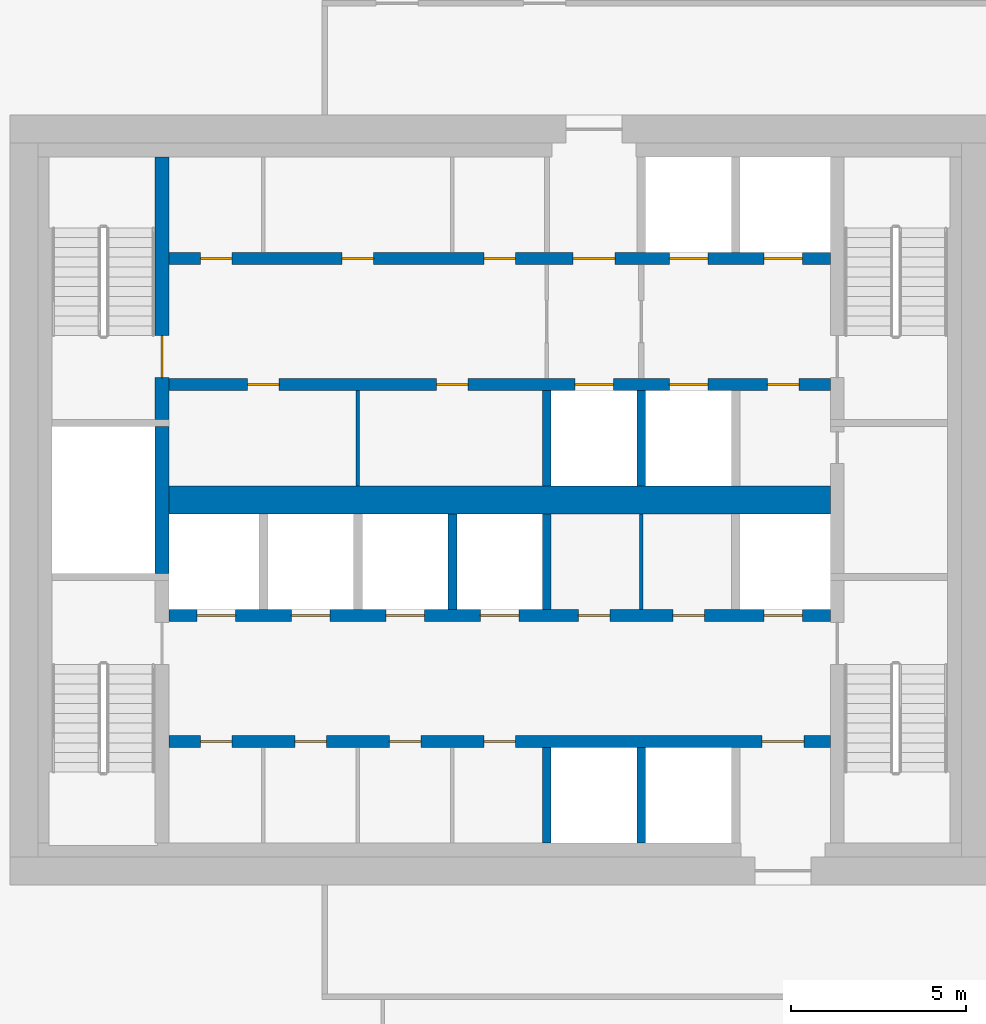
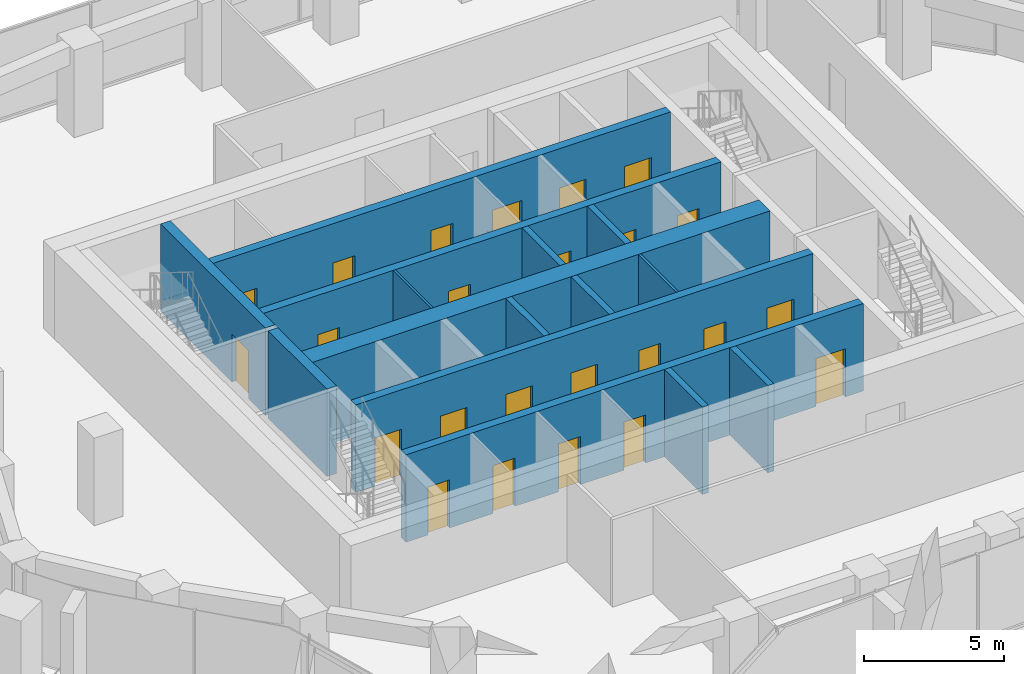
# One storey, part 12 of 19: 24 doors, 15 walls, 24 openings.
"""IFC4 building model written with IfcOpenShell, lengths in metres."""

import ifcopenshell
import ifcopenshell.guid

model = None  # the IFC model being written
_history = None  # IfcOwnerHistory: only IFC2X3 demands one
_inside = {}  # id of a spatial element -> (the spatial element, [elements in it])
_under = {}  # id of a project, library or spatial element -> (it, [spatial elements below it])
_declared = {}  # id of a project -> (the project, [libraries it declares])
_typed = {}  # id of a type object -> (the type object, [elements of that type])
_made_of = {}  # id of a material, layer set ... -> (it, [elements and type objects made of it])


def new_model(schema):
    """Start an empty IFC model of exactly this schema.

    Asked for "IFC4X3", IfcOpenShell would pick the latest addendum, in which some entities
    have other attributes; the version numbers below select the first issue.
    IFC2X3 requires an IfcOwnerHistory on every rooted entity: one is made here for all.
    """
    global model, _history
    if schema == "IFC4X3":
        model = ifcopenshell.file(schema_version=(4, 3, 0, 0))
    else:
        model = ifcopenshell.file(schema=schema)
    _inside.clear()
    _under.clear()
    _declared.clear()
    _typed.clear()
    _made_of.clear()
    _history = None
    if model.schema == "IFC2X3":
        org = make("IfcOrganization", Name="unknown")
        user = make(
            "IfcPersonAndOrganization",
            ThePerson=make("IfcPerson", FamilyName="unknown"),
            TheOrganization=org,
        )
        app = make(
            "IfcApplication",
            ApplicationDeveloper=org,
            Version="unknown",
            ApplicationFullName="unknown",
            ApplicationIdentifier="unknown",
        )
        _history = make(
            "IfcOwnerHistory",
            OwningUser=user,
            OwningApplication=app,
            ChangeAction="ADDED",
            CreationDate=0,
        )
    return model


def make(cls, **values):
    """One entity of the class cls with the attributes given. An attribute that is None is left unset."""
    return model.create_entity(
        cls, **{name: value for name, value in values.items() if value is not None}
    )


def rooted(cls, **values):
    """An entity with a GlobalId (a new one), such as an element, a storey or a relation."""
    return make(cls, GlobalId=ifcopenshell.guid.new(), OwnerHistory=_history, **values)


def si_unit(unit_type, name, prefix=None):
    """IfcSIUnit, for example si_unit("LENGTHUNIT", "METRE", prefix="MILLI")."""
    return make("IfcSIUnit", UnitType=unit_type, Prefix=prefix, Name=name)


def assignment(units):
    """IfcUnitAssignment: the units of a project."""
    return None if units is None else make("IfcUnitAssignment", Units=units)


def point(xyz):
    """IfcCartesianPoint."""
    return None if xyz is None else make("IfcCartesianPoint", Coordinates=xyz)


def direction(xyz):
    """IfcDirection."""
    return None if xyz is None else make("IfcDirection", DirectionRatios=xyz)


def frame(location, z_axis=None, x_axis=None):
    """IfcAxis2Placement3D, a coordinate frame: its origin and axes. An axis left out is left unset."""
    return make(
        "IfcAxis2Placement3D",
        Location=point(location),
        Axis=direction(z_axis),
        RefDirection=direction(x_axis),
    )


def frame_2d(location, x_axis=None):
    """IfcAxis2Placement2D, a coordinate frame in the plane: its origin and x axis."""
    return make(
        "IfcAxis2Placement2D", Location=point(location), RefDirection=direction(x_axis)
    )


def origin():
    """The frame at (0, 0, 0) with its axes left unset."""
    return frame((0.0, 0.0, 0.0))


def place(relative_to, where):
    """IfcLocalPlacement: puts the frame where relative to a parent placement (None: the world)."""
    return make(
        "IfcLocalPlacement", PlacementRelTo=relative_to, RelativePlacement=where
    )


def context(
    kind, dimensions, precision=None, world=None, true_north=None, identifier=None
):
    """IfcGeometricRepresentationContext, for example the 3D "Model" context."""
    return make(
        "IfcGeometricRepresentationContext",
        ContextIdentifier=identifier,
        ContextType=kind,
        CoordinateSpaceDimension=dimensions,
        Precision=precision,
        WorldCoordinateSystem=world,
        TrueNorth=true_north,
    )


def subcontext(parent, identifier, kind, view, scale=None):
    """IfcGeometricRepresentationSubContext, for example "Body" below "Model"."""
    return make(
        "IfcGeometricRepresentationSubContext",
        ContextIdentifier=identifier,
        ContextType=kind,
        ParentContext=parent,
        TargetScale=scale,
        TargetView=view,
    )


def project(units=None, contexts=None):
    """IfcProject with its units and contexts."""
    return rooted(
        "IfcProject",
        Name="project",
        RepresentationContexts=contexts,
        UnitsInContext=assignment(units),
    )


def spatial(cls, under=None, at=None, **own):
    """A site, building, storey or space (cls), placed at a placement, below another one or the project."""
    s = rooted(cls, ObjectPlacement=at, **own)
    if under is not None:
        _under.setdefault(under.id(), (under, []))[1].append(s)
    return s


def profile(cls, at=None, kind="AREA", **sizes):
    """A parametric profile (cls). Its sizes go by their IFC names, for example OverallWidth=200.0."""
    return make(cls, ProfileType=kind, Position=at, **sizes)


def rectangle(**sizes):
    """IfcRectangleProfileDef."""
    return profile("IfcRectangleProfileDef", **sizes)


def extrude(swept, where, along, depth):
    """IfcExtrudedAreaSolid: the profile swept, set in the frame where, extruded along a direction by depth."""
    return make(
        "IfcExtrudedAreaSolid",
        SweptArea=swept,
        Position=where,
        ExtrudedDirection=direction(along),
        Depth=depth,
    )


def shape(context_of_items, identifier, shape_type, items):
    """IfcShapeRepresentation: the items that make up one representation, for example the "Body"."""
    return make(
        "IfcShapeRepresentation",
        ContextOfItems=context_of_items,
        RepresentationIdentifier=identifier,
        RepresentationType=shape_type,
        Items=items,
    )


def material(Name=None, Category=None):
    """IfcMaterial."""
    return make("IfcMaterial", Name=Name, Category=Category)


def layer(
    of_material, thickness, ventilated=None, Name=None, Category=None, Priority=None
):
    """IfcMaterialLayer: one layer of a wall or slab, of a material (None: an air gap)."""
    return make(
        "IfcMaterialLayer",
        Material=of_material,
        LayerThickness=thickness,
        IsVentilated=ventilated,
        Name=Name,
        Category=Category,
        Priority=Priority,
    )


def layer_set(layers, Name=None):
    """IfcMaterialLayerSet."""
    return make("IfcMaterialLayerSet", MaterialLayers=layers, LayerSetName=Name)


def made_of(thing, what):
    """Note that an element or type object is made of a material, layer set ...; save() writes the relation."""
    if what is not None:
        _made_of.setdefault(what.id(), (what, []))[1].append(thing)
    return thing


def type_object(cls, material=None, **own):
    """A type object (cls), such as IfcWallType, which elements share."""
    return made_of(rooted(cls, **own), material)


def element(
    cls,
    number,
    at=None,
    inside=None,
    cuts=None,
    type_object=None,
    material=None,
    context=None,
    identifier="Body",
    shape_type=None,
    held_by="IfcProductDefinitionShape",
    body=None,
    shapes=None,
    **own,
):
    """One element of the class cls, such as IfcWall. Its Tag is "e" and its number.

    at: its placement. inside: the storey or other place that contains it. cuts: it is an
    opening in that element (IfcRelVoidsElement). A single representation is given by context,
    identifier, shape_type and body (its items); several are given by shapes. held_by: the class
    of the entity that holds the representations. save() writes the other relations.
    """
    e = rooted(cls, Tag="e%d" % number, ObjectPlacement=at, **own)
    if body is not None:
        shapes = [shape(context, identifier, shape_type, body)]
    if shapes is not None:
        e.Representation = make(held_by, Representations=shapes)
    if inside is not None:
        _inside.setdefault(inside.id(), (inside, []))[1].append(e)
    if cuts is not None:
        rooted(
            "IfcRelVoidsElement", RelatingBuildingElement=cuts, RelatedOpeningElement=e
        )
    if type_object is not None:
        _typed.setdefault(type_object.id(), (type_object, []))[1].append(e)
    return made_of(e, material)


def fill(opening, filler):
    """IfcRelFillsElement: the door or window that sits in an opening."""
    return rooted(
        "IfcRelFillsElement",
        RelatingOpeningElement=opening,
        RelatedBuildingElement=filler,
    )


def aggregate(whole, parts):
    """IfcRelAggregates: a whole, such as a stair, and the parts it consists of."""
    return rooted("IfcRelAggregates", RelatingObject=whole, RelatedObjects=parts)


def save(model, path):
    """Write the relations noted so far, then the file.

    IfcRelAggregates (storeys below a building ...), IfcRelContainedInSpatialStructure (elements
    in a storey), IfcRelDefinesByType, IfcRelAssociatesMaterial and IfcRelDeclares: one each for
    every whole, place, type object, material and project.
    """
    for whole, parts in _under.values():
        aggregate(whole, parts)
    for where, things in _inside.values():
        rooted(
            "IfcRelContainedInSpatialStructure",
            RelatedElements=things,
            RelatingStructure=where,
        )
    for kind, things in _typed.values():
        rooted("IfcRelDefinesByType", RelatedObjects=things, RelatingType=kind)
    for what, things in _made_of.values():
        rooted("IfcRelAssociatesMaterial", RelatedObjects=things, RelatingMaterial=what)
    for by, libraries in _declared.values():
        rooted("IfcRelDeclares", RelatingContext=by, RelatedDefinitions=libraries)
    model.write(path)


model = new_model("IFC4")

# Units and contexts
model_context = context("Model", 3, precision=1e-05, world=origin(), true_north=direction((0.0, 1.0)))
body_context = subcontext(model_context, "Body", "Model", "MODEL_VIEW")
ifc_project = project(units=[si_unit("LENGTHUNIT", "METRE"), si_unit("AREAUNIT", "SQUARE_METRE"), si_unit("VOLUMEUNIT", "CUBIC_METRE"), si_unit("PLANEANGLEUNIT", "RADIAN"), si_unit("MASSUNIT", "GRAM", prefix="KILO")], contexts=[model_context])

# Site, building, storey
site_placement = place(None, origin())
site = spatial("IfcSite", under=ifc_project, at=site_placement, CompositionType="ELEMENT")
building_placement = place(site_placement, origin())
building = spatial("IfcBuilding", under=site, at=building_placement, Name="Dongbaek Canopy Tower", CompositionType="ELEMENT")
storey_placement = place(building_placement, frame((0.0, 0.0, 207.199951171875)))
storey = spatial("IfcBuildingStorey", under=building, at=storey_placement, Name="L43", CompositionType="ELEMENT", Elevation=207.199951171875)

# Wall
ifc_material_1 = material(Name="Concrete C60/75", Category="concrete")
ifc_layer_1 = layer(ifc_material_1, 0.800048828125)
ifc_layer_set_1 = layer_set([ifc_layer_1], Name="Core central wall 800 Concrete C60/75")
wall_type_1 = type_object("IfcWallType", Name="Core central wall 800 Concrete C60/75", PredefinedType="SHEAR", material=ifc_layer_set_1)
wall_1_placement = place(storey_placement, frame((-9.449951171875, 0.0, 0.0), z_axis=(0.0, 0.0, 1.0), x_axis=(1.0, 0.0, 0.0)))
element("IfcWall", 1, at=wall_1_placement, inside=storey, type_object=wall_type_1, Name="Core wall", PredefinedType="SHEAR", context=body_context, shape_type="SweptSolid", body=[
    extrude(rectangle(XDim=18.89990234375, YDim=0.800048828125, at=frame_2d((9.449951171875, 0.0))), origin(), (0.0, 0.0, 1.0), 3.820068359375),
])

# Wall, openings, doors
ifc_material_2 = material(Name="Concrete C60/75", Category="concrete")
ifc_layer_2 = layer(ifc_material_2, 0.35009765625)
ifc_layer_set_2 = layer_set([ifc_layer_2], Name="Core lobby wall 350 Concrete C60/75")
wall_type_2 = type_object("IfcWallType", Name="Core lobby wall 350 Concrete C60/75", PredefinedType="SHEAR", material=ifc_layer_set_2)
wall_2_placement = place(storey_placement, frame((-9.449951171875, 6.89990234375, 0.0), z_axis=(0.0, 0.0, 1.0), x_axis=(1.0, 0.0, 0.0)))
wall_2 = element("IfcWall", 2, at=wall_2_placement, inside=storey, type_object=wall_type_2, Name="Core wall", PredefinedType="SHEAR", context=body_context, shape_type="SweptSolid", body=[
    extrude(rectangle(XDim=18.89990234375, YDim=0.35009765625, at=frame_2d((9.449951171875, 0.0))), origin(), (0.0, 0.0, 1.0), 3.820068359375),
])
opening_1_placement = place(wall_2_placement, frame((11.550048828125, 0.0, 0.0)))
opening_1 = element("IfcOpeningElement", 3, at=opening_1_placement, cuts=wall_2, Name="Opening L43-D007", PredefinedType="OPENING", context=body_context, shape_type="SweptSolid", body=[
    extrude(rectangle(XDim=1.199951171875, YDim=2.10009765625, at=frame_2d((0.60009765625, 1.050048828125))), frame((0.0, 0.18505859375, 0.0), z_axis=(0.0, -1.0, 0.0), x_axis=(1.0, 0.0, 0.0)), (0.0, 0.0, 1.0), 0.3701171875),
])
opening_2_placement = place(wall_2_placement, frame((14.300048828125, 0.0, 0.0)))
opening_2 = element("IfcOpeningElement", 4, at=opening_2_placement, cuts=wall_2, Name="Opening L43-D008", PredefinedType="OPENING", context=body_context, shape_type="SweptSolid", body=[
    extrude(rectangle(XDim=1.10009765625, YDim=2.10009765625, at=frame_2d((0.550048828125, 1.050048828125))), frame((0.0, 0.18505859375, 0.0), z_axis=(0.0, -1.0, 0.0), x_axis=(1.0, 0.0, 0.0)), (0.0, 0.0, 1.0), 0.3701171875),
])
opening_3_placement = place(wall_2_placement, frame((17.0, 0.0, 0.0)))
opening_3 = element("IfcOpeningElement", 5, at=opening_3_placement, cuts=wall_2, Name="Opening L43-D009", PredefinedType="OPENING", context=body_context, shape_type="SweptSolid", body=[
    extrude(rectangle(XDim=1.10009765625, YDim=2.10009765625, at=frame_2d((0.550048828125, 1.050048828125))), frame((0.0, 0.18505859375, 0.0), z_axis=(0.0, -1.0, 0.0), x_axis=(1.0, 0.0, 0.0)), (0.0, 0.0, 1.0), 0.3701171875),
])
opening_4_placement = place(wall_2_placement, frame((0.89990234375, 0.0, 0.0)))
opening_4 = element("IfcOpeningElement", 6, at=opening_4_placement, cuts=wall_2, Name="Opening L43-D020", PredefinedType="OPENING", context=body_context, shape_type="SweptSolid", body=[
    extrude(rectangle(XDim=0.89990234375, YDim=2.10009765625, at=frame_2d((0.449951171875, 1.050048828125))), frame((0.0, 0.18505859375, 0.0), z_axis=(0.0, -1.0, 0.0), x_axis=(1.0, 0.0, 0.0)), (0.0, 0.0, 1.0), 0.3701171875),
])
opening_5_placement = place(wall_2_placement, frame((4.949951171875, 0.0, 0.0)))
opening_5 = element("IfcOpeningElement", 7, at=opening_5_placement, cuts=wall_2, Name="Opening L43-D021", PredefinedType="OPENING", context=body_context, shape_type="SweptSolid", body=[
    extrude(rectangle(XDim=0.89990234375, YDim=2.10009765625, at=frame_2d((0.449951171875, 1.050048828125))), frame((0.0, 0.18505859375, 0.0), z_axis=(0.0, -1.0, 0.0), x_axis=(1.0, 0.0, 0.0)), (0.0, 0.0, 1.0), 0.3701171875),
])
opening_6_placement = place(wall_2_placement, frame((9.0, 0.0, 0.0)))
opening_6 = element("IfcOpeningElement", 8, at=opening_6_placement, cuts=wall_2, Name="Opening L43-D022", PredefinedType="OPENING", context=body_context, shape_type="SweptSolid", body=[
    extrude(rectangle(XDim=0.89990234375, YDim=2.10009765625, at=frame_2d((0.449951171875, 1.050048828125))), frame((0.0, 0.18505859375, 0.0), z_axis=(0.0, -1.0, 0.0), x_axis=(1.0, 0.0, 0.0)), (0.0, 0.0, 1.0), 0.3701171875),
])
ifc_material_3 = material(Name="Steel", Category="steel")
door_type_1 = type_object("IfcDoorType", Name="Core room door 900 x 2100", OperationType="SINGLE_SWING_LEFT", PredefinedType="DOOR", material=ifc_material_3)
door_1_placement = place(opening_4_placement, origin())
door_1 = element("IfcDoor", 9, at=door_1_placement, inside=storey, type_object=door_type_1, Name="Door L43-D020", OperationType="SINGLE_SWING_RIGHT", OverallHeight=2.10009765625, OverallWidth=0.89990234375, PredefinedType="DOOR", context=body_context, shape_type="SweptSolid", body=[
    extrude(rectangle(XDim=0.89990234375, YDim=2.10009765625, at=frame_2d((0.449951171875, 1.050048828125))), frame((0.0, 0.02490234375, 0.0), z_axis=(0.0, -1.0, 0.0), x_axis=(1.0, 0.0, 0.0)), (0.0, 0.0, 1.0), 0.050048828125),
])
fill(opening_4, door_1)
door_2_placement = place(opening_5_placement, origin())
door_2 = element("IfcDoor", 10, at=door_2_placement, inside=storey, type_object=door_type_1, Name="Door L43-D021", OperationType="SINGLE_SWING_LEFT", OverallHeight=2.10009765625, OverallWidth=0.89990234375, PredefinedType="DOOR", context=body_context, shape_type="SweptSolid", body=[
    extrude(rectangle(XDim=0.89990234375, YDim=2.10009765625, at=frame_2d((0.449951171875, 1.050048828125))), frame((0.0, 0.02490234375, 0.0), z_axis=(0.0, -1.0, 0.0), x_axis=(1.0, 0.0, 0.0)), (0.0, 0.0, 1.0), 0.050048828125),
])
fill(opening_5, door_2)
door_3_placement = place(opening_6_placement, origin())
door_3 = element("IfcDoor", 11, at=door_3_placement, inside=storey, type_object=door_type_1, Name="Door L43-D022", OperationType="SINGLE_SWING_RIGHT", OverallHeight=2.10009765625, OverallWidth=0.89990234375, PredefinedType="DOOR", context=body_context, shape_type="SweptSolid", body=[
    extrude(rectangle(XDim=0.89990234375, YDim=2.10009765625, at=frame_2d((0.449951171875, 1.050048828125))), frame((0.0, 0.02490234375, 0.0), z_axis=(0.0, -1.0, 0.0), x_axis=(1.0, 0.0, 0.0)), (0.0, 0.0, 1.0), 0.050048828125),
])
fill(opening_6, door_3)
ifc_material_4 = material(Name="Steel", Category="steel")
door_type_2 = type_object("IfcDoorType", Name="Fire lobby door 1200 x 2100", OperationType="SINGLE_SWING_LEFT", PredefinedType="DOOR", material=ifc_material_4)
door_4_placement = place(opening_1_placement, origin())
door_4 = element("IfcDoor", 12, at=door_4_placement, inside=storey, type_object=door_type_2, Name="Door L43-D007", OperationType="SINGLE_SWING_LEFT", OverallHeight=2.10009765625, OverallWidth=1.199951171875, PredefinedType="DOOR", context=body_context, shape_type="SweptSolid", body=[
    extrude(rectangle(XDim=1.199951171875, YDim=2.10009765625, at=frame_2d((0.60009765625, 1.050048828125))), frame((0.0, 0.02490234375, 0.0), z_axis=(0.0, -1.0, 0.0), x_axis=(1.0, 0.0, 0.0)), (0.0, 0.0, 1.0), 0.050048828125),
])
fill(opening_1, door_4)
ifc_material_5 = material(Name="Stainless steel", Category="steel")
door_type_3 = type_object("IfcDoorType", Name="Lift landing door 1100 x 2100", OperationType="DOUBLE_DOOR_SLIDING", PredefinedType="DOOR", material=ifc_material_5)
door_5_placement = place(opening_2_placement, origin())
door_5 = element("IfcDoor", 13, at=door_5_placement, inside=storey, type_object=door_type_3, Name="Landing door FF1", OperationType="DOUBLE_DOOR_SLIDING", OverallHeight=2.10009765625, OverallWidth=1.10009765625, PredefinedType="DOOR", context=body_context, shape_type="SweptSolid", body=[
    extrude(rectangle(XDim=1.10009765625, YDim=2.10009765625, at=frame_2d((0.550048828125, 1.050048828125))), frame((0.0, 0.02490234375, 0.0), z_axis=(0.0, -1.0, 0.0), x_axis=(1.0, 0.0, 0.0)), (0.0, 0.0, 1.0), 0.050048828125),
])
fill(opening_2, door_5)
door_6_placement = place(opening_3_placement, origin())
door_6 = element("IfcDoor", 14, at=door_6_placement, inside=storey, type_object=door_type_3, Name="Landing door FF2", OperationType="DOUBLE_DOOR_SLIDING", OverallHeight=2.10009765625, OverallWidth=1.10009765625, PredefinedType="DOOR", context=body_context, shape_type="SweptSolid", body=[
    extrude(rectangle(XDim=1.10009765625, YDim=2.10009765625, at=frame_2d((0.550048828125, 1.050048828125))), frame((0.0, 0.02490234375, 0.0), z_axis=(0.0, -1.0, 0.0), x_axis=(1.0, 0.0, 0.0)), (0.0, 0.0, 1.0), 0.050048828125),
])
fill(opening_3, door_6)

wall_3_placement = place(storey_placement, frame((9.449951171875, 3.300048828125, 0.0), z_axis=(0.0, 0.0, 1.0), x_axis=(-1.0, 0.0, 0.0)))
wall_3 = element("IfcWall", 15, at=wall_3_placement, inside=storey, type_object=wall_type_2, Name="Core wall", PredefinedType="SHEAR", context=body_context, shape_type="SweptSolid", body=[
    extrude(rectangle(XDim=18.89990234375, YDim=0.35009765625, at=frame_2d((9.449951171875, 0.0))), origin(), (0.0, 0.0, 1.0), 3.820068359375),
])
opening_7_placement = place(wall_3_placement, frame((6.199951171875, 0.0, 0.0)))
opening_7 = element("IfcOpeningElement", 16, at=opening_7_placement, cuts=wall_3, Name="Opening L43-D010", PredefinedType="OPENING", context=body_context, shape_type="SweptSolid", body=[
    extrude(rectangle(XDim=1.10009765625, YDim=2.10009765625, at=frame_2d((0.550048828125, 1.050048828125))), frame((0.0, 0.18505859375, 0.0), z_axis=(0.0, -1.0, 0.0), x_axis=(1.0, 0.0, 0.0)), (0.0, 0.0, 1.0), 0.3701171875),
])
opening_8_placement = place(wall_3_placement, frame((3.5, 0.0, 0.0)))
opening_8 = element("IfcOpeningElement", 17, at=opening_8_placement, cuts=wall_3, Name="Opening L43-D011", PredefinedType="OPENING", context=body_context, shape_type="SweptSolid", body=[
    extrude(rectangle(XDim=1.10009765625, YDim=2.10009765625, at=frame_2d((0.550048828125, 1.050048828125))), frame((0.0, 0.18505859375, 0.0), z_axis=(0.0, -1.0, 0.0), x_axis=(1.0, 0.0, 0.0)), (0.0, 0.0, 1.0), 0.3701171875),
])
opening_9_placement = place(wall_3_placement, frame((0.89990234375, 0.0, 0.0)))
opening_9 = element("IfcOpeningElement", 18, at=opening_9_placement, cuts=wall_3, Name="Opening L43-D012", PredefinedType="OPENING", context=body_context, shape_type="SweptSolid", body=[
    extrude(rectangle(XDim=0.89990234375, YDim=2.10009765625, at=frame_2d((0.449951171875, 1.050048828125))), frame((0.0, 0.18505859375, 0.0), z_axis=(0.0, -1.0, 0.0), x_axis=(1.0, 0.0, 0.0)), (0.0, 0.0, 1.0), 0.3701171875),
])
opening_10_placement = place(wall_3_placement, frame((15.75, 0.0, 0.0)))
opening_10 = element("IfcOpeningElement", 19, at=opening_10_placement, cuts=wall_3, Name="Opening L43-D023", PredefinedType="OPENING", context=body_context, shape_type="SweptSolid", body=[
    extrude(rectangle(XDim=0.89990234375, YDim=2.10009765625, at=frame_2d((0.449951171875, 1.050048828125))), frame((0.0, 0.18505859375, 0.0), z_axis=(0.0, -1.0, 0.0), x_axis=(1.0, 0.0, 0.0)), (0.0, 0.0, 1.0), 0.3701171875),
])
opening_11_placement = place(wall_3_placement, frame((10.35009765625, 0.0, 0.0)))
opening_11 = element("IfcOpeningElement", 20, at=opening_11_placement, cuts=wall_3, Name="Opening L43-D024", PredefinedType="OPENING", context=body_context, shape_type="SweptSolid", body=[
    extrude(rectangle(XDim=0.89990234375, YDim=2.10009765625, at=frame_2d((0.449951171875, 1.050048828125))), frame((0.0, 0.18505859375, 0.0), z_axis=(0.0, -1.0, 0.0), x_axis=(1.0, 0.0, 0.0)), (0.0, 0.0, 1.0), 0.3701171875),
])
door_7_placement = place(opening_9_placement, origin())
door_7 = element("IfcDoor", 21, at=door_7_placement, inside=storey, type_object=door_type_1, Name="Door L43-D012", OperationType="SINGLE_SWING_LEFT", OverallHeight=2.10009765625, OverallWidth=0.89990234375, PredefinedType="DOOR", context=body_context, shape_type="SweptSolid", body=[
    extrude(rectangle(XDim=0.89990234375, YDim=2.10009765625, at=frame_2d((0.449951171875, 1.050048828125))), frame((0.0, 0.02490234375, 0.0), z_axis=(0.0, -1.0, 0.0), x_axis=(1.0, 0.0, 0.0)), (0.0, 0.0, 1.0), 0.050048828125),
])
fill(opening_9, door_7)
door_8_placement = place(opening_10_placement, origin())
door_8 = element("IfcDoor", 22, at=door_8_placement, inside=storey, type_object=door_type_1, Name="Door L43-D023", OperationType="SINGLE_SWING_LEFT", OverallHeight=2.10009765625, OverallWidth=0.89990234375, PredefinedType="DOOR", context=body_context, shape_type="SweptSolid", body=[
    extrude(rectangle(XDim=0.89990234375, YDim=2.10009765625, at=frame_2d((0.449951171875, 1.050048828125))), frame((0.0, 0.02490234375, 0.0), z_axis=(0.0, -1.0, 0.0), x_axis=(1.0, 0.0, 0.0)), (0.0, 0.0, 1.0), 0.050048828125),
])
fill(opening_10, door_8)
door_9_placement = place(opening_11_placement, origin())
door_9 = element("IfcDoor", 23, at=door_9_placement, inside=storey, type_object=door_type_1, Name="Door L43-D024", OperationType="SINGLE_SWING_RIGHT", OverallHeight=2.10009765625, OverallWidth=0.89990234375, PredefinedType="DOOR", context=body_context, shape_type="SweptSolid", body=[
    extrude(rectangle(XDim=0.89990234375, YDim=2.10009765625, at=frame_2d((0.449951171875, 1.050048828125))), frame((0.0, 0.02490234375, 0.0), z_axis=(0.0, -1.0, 0.0), x_axis=(1.0, 0.0, 0.0)), (0.0, 0.0, 1.0), 0.050048828125),
])
fill(opening_11, door_9)
door_10_placement = place(opening_7_placement, origin())
door_10 = element("IfcDoor", 24, at=door_10_placement, inside=storey, type_object=door_type_3, Name="Landing door SV1", OperationType="DOUBLE_DOOR_SLIDING", OverallHeight=2.10009765625, OverallWidth=1.10009765625, PredefinedType="DOOR", context=body_context, shape_type="SweptSolid", body=[
    extrude(rectangle(XDim=1.10009765625, YDim=2.10009765625, at=frame_2d((0.550048828125, 1.050048828125))), frame((0.0, 0.02490234375, 0.0), z_axis=(0.0, -1.0, 0.0), x_axis=(1.0, 0.0, 0.0)), (0.0, 0.0, 1.0), 0.050048828125),
])
fill(opening_7, door_10)
door_11_placement = place(opening_8_placement, origin())
door_11 = element("IfcDoor", 25, at=door_11_placement, inside=storey, type_object=door_type_3, Name="Landing door FF3", OperationType="DOUBLE_DOOR_SLIDING", OverallHeight=2.10009765625, OverallWidth=1.10009765625, PredefinedType="DOOR", context=body_context, shape_type="SweptSolid", body=[
    extrude(rectangle(XDim=1.10009765625, YDim=2.10009765625, at=frame_2d((0.550048828125, 1.050048828125))), frame((0.0, 0.02490234375, 0.0), z_axis=(0.0, -1.0, 0.0), x_axis=(1.0, 0.0, 0.0)), (0.0, 0.0, 1.0), 0.050048828125),
])
fill(opening_8, door_11)

wall_4_placement = place(storey_placement, frame((-9.449951171875, -3.300048828125, 0.0), z_axis=(0.0, 0.0, 1.0), x_axis=(1.0, 0.0, 0.0)))
wall_4 = element("IfcWall", 26, at=wall_4_placement, inside=storey, type_object=wall_type_2, Name="Core wall", PredefinedType="SHEAR", context=body_context, shape_type="SweptSolid", body=[
    extrude(rectangle(XDim=18.89990234375, YDim=0.35009765625, at=frame_2d((9.449951171875, 0.0))), origin(), (0.0, 0.0, 1.0), 3.820068359375),
])
opening_12_placement = place(wall_4_placement, frame((0.800048828125, 0.0, 0.0)))
opening_12 = element("IfcOpeningElement", 27, at=opening_12_placement, cuts=wall_4, Name="Opening L43-D013", PredefinedType="OPENING", context=body_context, shape_type="SweptSolid", body=[
    extrude(rectangle(XDim=1.10009765625, YDim=2.10009765625, at=frame_2d((0.550048828125, 1.050048828125))), frame((0.0, 0.18505859375, 0.0), z_axis=(0.0, -1.0, 0.0), x_axis=(1.0, 0.0, 0.0)), (0.0, 0.0, 1.0), 0.3701171875),
])
opening_13_placement = place(wall_4_placement, frame((3.5, 0.0, 0.0)))
opening_13 = element("IfcOpeningElement", 28, at=opening_13_placement, cuts=wall_4, Name="Opening L43-D014", PredefinedType="OPENING", context=body_context, shape_type="SweptSolid", body=[
    extrude(rectangle(XDim=1.10009765625, YDim=2.10009765625, at=frame_2d((0.550048828125, 1.050048828125))), frame((0.0, 0.18505859375, 0.0), z_axis=(0.0, -1.0, 0.0), x_axis=(1.0, 0.0, 0.0)), (0.0, 0.0, 1.0), 0.3701171875),
])
opening_14_placement = place(wall_4_placement, frame((6.199951171875, 0.0, 0.0)))
opening_14 = element("IfcOpeningElement", 29, at=opening_14_placement, cuts=wall_4, Name="Opening L43-D015", PredefinedType="OPENING", context=body_context, shape_type="SweptSolid", body=[
    extrude(rectangle(XDim=1.10009765625, YDim=2.10009765625, at=frame_2d((0.550048828125, 1.050048828125))), frame((0.0, 0.18505859375, 0.0), z_axis=(0.0, -1.0, 0.0), x_axis=(1.0, 0.0, 0.0)), (0.0, 0.0, 1.0), 0.3701171875),
])
opening_15_placement = place(wall_4_placement, frame((8.89990234375, 0.0, 0.0)))
opening_15 = element("IfcOpeningElement", 30, at=opening_15_placement, cuts=wall_4, Name="Opening L43-D016", PredefinedType="OPENING", context=body_context, shape_type="SweptSolid", body=[
    extrude(rectangle(XDim=1.10009765625, YDim=2.10009765625, at=frame_2d((0.550048828125, 1.050048828125))), frame((0.0, 0.18505859375, 0.0), z_axis=(0.0, -1.0, 0.0), x_axis=(1.0, 0.0, 0.0)), (0.0, 0.0, 1.0), 0.3701171875),
])
opening_16_placement = place(wall_4_placement, frame((17.0, 0.0, 0.0)))
opening_16 = element("IfcOpeningElement", 31, at=opening_16_placement, cuts=wall_4, Name="Opening L43-D017", PredefinedType="OPENING", context=body_context, shape_type="SweptSolid", body=[
    extrude(rectangle(XDim=1.10009765625, YDim=2.10009765625, at=frame_2d((0.550048828125, 1.050048828125))), frame((0.0, 0.18505859375, 0.0), z_axis=(0.0, -1.0, 0.0), x_axis=(1.0, 0.0, 0.0)), (0.0, 0.0, 1.0), 0.3701171875),
])
opening_17_placement = place(wall_4_placement, frame((11.699951171875, 0.0, 0.0)))
opening_17 = element("IfcOpeningElement", 32, at=opening_17_placement, cuts=wall_4, Name="Opening L43-D025", PredefinedType="OPENING", context=body_context, shape_type="SweptSolid", body=[
    extrude(rectangle(XDim=0.89990234375, YDim=2.10009765625, at=frame_2d((0.449951171875, 1.050048828125))), frame((0.0, 0.18505859375, 0.0), z_axis=(0.0, -1.0, 0.0), x_axis=(1.0, 0.0, 0.0)), (0.0, 0.0, 1.0), 0.3701171875),
])
opening_18_placement = place(wall_4_placement, frame((14.39990234375, 0.0, 0.0)))
opening_18 = element("IfcOpeningElement", 33, at=opening_18_placement, cuts=wall_4, Name="Opening L43-D026", PredefinedType="OPENING", context=body_context, shape_type="SweptSolid", body=[
    extrude(rectangle(XDim=0.89990234375, YDim=2.10009765625, at=frame_2d((0.449951171875, 1.050048828125))), frame((0.0, 0.18505859375, 0.0), z_axis=(0.0, -1.0, 0.0), x_axis=(1.0, 0.0, 0.0)), (0.0, 0.0, 1.0), 0.3701171875),
])
door_12_placement = place(opening_17_placement, origin())
door_12 = element("IfcDoor", 34, at=door_12_placement, inside=storey, type_object=door_type_1, Name="Door L43-D025", OperationType="SINGLE_SWING_LEFT", OverallHeight=2.10009765625, OverallWidth=0.89990234375, PredefinedType="DOOR", context=body_context, shape_type="SweptSolid", body=[
    extrude(rectangle(XDim=0.89990234375, YDim=2.10009765625, at=frame_2d((0.449951171875, 1.050048828125))), frame((0.0, 0.02490234375, 0.0), z_axis=(0.0, -1.0, 0.0), x_axis=(1.0, 0.0, 0.0)), (0.0, 0.0, 1.0), 0.050048828125),
])
fill(opening_17, door_12)
door_13_placement = place(opening_18_placement, origin())
door_13 = element("IfcDoor", 35, at=door_13_placement, inside=storey, type_object=door_type_1, Name="Door L43-D026", OperationType="SINGLE_SWING_RIGHT", OverallHeight=2.10009765625, OverallWidth=0.89990234375, PredefinedType="DOOR", context=body_context, shape_type="SweptSolid", body=[
    extrude(rectangle(XDim=0.89990234375, YDim=2.10009765625, at=frame_2d((0.449951171875, 1.050048828125))), frame((0.0, 0.02490234375, 0.0), z_axis=(0.0, -1.0, 0.0), x_axis=(1.0, 0.0, 0.0)), (0.0, 0.0, 1.0), 0.050048828125),
])
fill(opening_18, door_13)
door_14_placement = place(opening_12_placement, origin())
door_14 = element("IfcDoor", 36, at=door_14_placement, inside=storey, type_object=door_type_3, Name="Landing door MR1", OperationType="DOUBLE_DOOR_SLIDING", OverallHeight=2.10009765625, OverallWidth=1.10009765625, PredefinedType="DOOR", context=body_context, shape_type="SweptSolid", body=[
    extrude(rectangle(XDim=1.10009765625, YDim=2.10009765625, at=frame_2d((0.550048828125, 1.050048828125))), frame((0.0, 0.02490234375, 0.0), z_axis=(0.0, -1.0, 0.0), x_axis=(1.0, 0.0, 0.0)), (0.0, 0.0, 1.0), 0.050048828125),
])
fill(opening_12, door_14)
door_15_placement = place(opening_13_placement, origin())
door_15 = element("IfcDoor", 37, at=door_15_placement, inside=storey, type_object=door_type_3, Name="Landing door MR2", OperationType="DOUBLE_DOOR_SLIDING", OverallHeight=2.10009765625, OverallWidth=1.10009765625, PredefinedType="DOOR", context=body_context, shape_type="SweptSolid", body=[
    extrude(rectangle(XDim=1.10009765625, YDim=2.10009765625, at=frame_2d((0.550048828125, 1.050048828125))), frame((0.0, 0.02490234375, 0.0), z_axis=(0.0, -1.0, 0.0), x_axis=(1.0, 0.0, 0.0)), (0.0, 0.0, 1.0), 0.050048828125),
])
fill(opening_13, door_15)
door_16_placement = place(opening_14_placement, origin())
door_16 = element("IfcDoor", 38, at=door_16_placement, inside=storey, type_object=door_type_3, Name="Landing door MR3", OperationType="DOUBLE_DOOR_SLIDING", OverallHeight=2.10009765625, OverallWidth=1.10009765625, PredefinedType="DOOR", context=body_context, shape_type="SweptSolid", body=[
    extrude(rectangle(XDim=1.10009765625, YDim=2.10009765625, at=frame_2d((0.550048828125, 1.050048828125))), frame((0.0, 0.02490234375, 0.0), z_axis=(0.0, -1.0, 0.0), x_axis=(1.0, 0.0, 0.0)), (0.0, 0.0, 1.0), 0.050048828125),
])
fill(opening_14, door_16)
door_17_placement = place(opening_15_placement, origin())
door_17 = element("IfcDoor", 39, at=door_17_placement, inside=storey, type_object=door_type_3, Name="Landing door MR4", OperationType="DOUBLE_DOOR_SLIDING", OverallHeight=2.10009765625, OverallWidth=1.10009765625, PredefinedType="DOOR", context=body_context, shape_type="SweptSolid", body=[
    extrude(rectangle(XDim=1.10009765625, YDim=2.10009765625, at=frame_2d((0.550048828125, 1.050048828125))), frame((0.0, 0.02490234375, 0.0), z_axis=(0.0, -1.0, 0.0), x_axis=(1.0, 0.0, 0.0)), (0.0, 0.0, 1.0), 0.050048828125),
])
fill(opening_15, door_17)
door_18_placement = place(opening_16_placement, origin())
door_18 = element("IfcDoor", 40, at=door_18_placement, inside=storey, type_object=door_type_3, Name="Landing door SV2", OperationType="DOUBLE_DOOR_SLIDING", OverallHeight=2.10009765625, OverallWidth=1.10009765625, PredefinedType="DOOR", context=body_context, shape_type="SweptSolid", body=[
    extrude(rectangle(XDim=1.10009765625, YDim=2.10009765625, at=frame_2d((0.550048828125, 1.050048828125))), frame((0.0, 0.02490234375, 0.0), z_axis=(0.0, -1.0, 0.0), x_axis=(1.0, 0.0, 0.0)), (0.0, 0.0, 1.0), 0.050048828125),
])
fill(opening_16, door_18)

wall_5_placement = place(storey_placement, frame((9.449951171875, -6.89990234375, 0.0), z_axis=(0.0, 0.0, 1.0), x_axis=(-1.0, 0.0, 0.0)))
wall_5 = element("IfcWall", 41, at=wall_5_placement, inside=storey, type_object=wall_type_2, Name="Core wall", PredefinedType="SHEAR", context=body_context, shape_type="SweptSolid", body=[
    extrude(rectangle(XDim=18.89990234375, YDim=0.35009765625, at=frame_2d((9.449951171875, 0.0))), origin(), (0.0, 0.0, 1.0), 3.820068359375),
])
opening_19_placement = place(wall_5_placement, frame((0.75, 0.0, 0.0)))
opening_19 = element("IfcOpeningElement", 42, at=opening_19_placement, cuts=wall_5, Name="Opening L43-D019", PredefinedType="OPENING", context=body_context, shape_type="SweptSolid", body=[
    extrude(rectangle(XDim=1.199951171875, YDim=2.10009765625, at=frame_2d((0.60009765625, 1.050048828125))), frame((0.0, 0.18505859375, 0.0), z_axis=(0.0, -1.0, 0.0), x_axis=(1.0, 0.0, 0.0)), (0.0, 0.0, 1.0), 0.3701171875),
])
opening_20_placement = place(wall_5_placement, frame((17.10009765625, 0.0, 0.0)))
opening_20 = element("IfcOpeningElement", 43, at=opening_20_placement, cuts=wall_5, Name="Opening L43-D027", PredefinedType="OPENING", context=body_context, shape_type="SweptSolid", body=[
    extrude(rectangle(XDim=0.89990234375, YDim=2.10009765625, at=frame_2d((0.449951171875, 1.050048828125))), frame((0.0, 0.18505859375, 0.0), z_axis=(0.0, -1.0, 0.0), x_axis=(1.0, 0.0, 0.0)), (0.0, 0.0, 1.0), 0.3701171875),
])
opening_21_placement = place(wall_5_placement, frame((14.39990234375, 0.0, 0.0)))
opening_21 = element("IfcOpeningElement", 44, at=opening_21_placement, cuts=wall_5, Name="Opening L43-D028", PredefinedType="OPENING", context=body_context, shape_type="SweptSolid", body=[
    extrude(rectangle(XDim=0.89990234375, YDim=2.10009765625, at=frame_2d((0.449951171875, 1.050048828125))), frame((0.0, 0.18505859375, 0.0), z_axis=(0.0, -1.0, 0.0), x_axis=(1.0, 0.0, 0.0)), (0.0, 0.0, 1.0), 0.3701171875),
])
opening_22_placement = place(wall_5_placement, frame((11.699951171875, 0.0, 0.0)))
opening_22 = element("IfcOpeningElement", 45, at=opening_22_placement, cuts=wall_5, Name="Opening L43-D029", PredefinedType="OPENING", context=body_context, shape_type="SweptSolid", body=[
    extrude(rectangle(XDim=0.89990234375, YDim=2.10009765625, at=frame_2d((0.449951171875, 1.050048828125))), frame((0.0, 0.18505859375, 0.0), z_axis=(0.0, -1.0, 0.0), x_axis=(1.0, 0.0, 0.0)), (0.0, 0.0, 1.0), 0.3701171875),
])
opening_23_placement = place(wall_5_placement, frame((9.0, 0.0, 0.0)))
opening_23 = element("IfcOpeningElement", 46, at=opening_23_placement, cuts=wall_5, Name="Opening L43-D030", PredefinedType="OPENING", context=body_context, shape_type="SweptSolid", body=[
    extrude(rectangle(XDim=0.89990234375, YDim=2.10009765625, at=frame_2d((0.449951171875, 1.050048828125))), frame((0.0, 0.18505859375, 0.0), z_axis=(0.0, -1.0, 0.0), x_axis=(1.0, 0.0, 0.0)), (0.0, 0.0, 1.0), 0.3701171875),
])
door_19_placement = place(opening_20_placement, origin())
door_19 = element("IfcDoor", 47, at=door_19_placement, inside=storey, type_object=door_type_1, Name="Door L43-D027", OperationType="SINGLE_SWING_LEFT", OverallHeight=2.10009765625, OverallWidth=0.89990234375, PredefinedType="DOOR", context=body_context, shape_type="SweptSolid", body=[
    extrude(rectangle(XDim=0.89990234375, YDim=2.10009765625, at=frame_2d((0.449951171875, 1.050048828125))), frame((0.0, 0.02490234375, 0.0), z_axis=(0.0, -1.0, 0.0), x_axis=(1.0, 0.0, 0.0)), (0.0, 0.0, 1.0), 0.050048828125),
])
fill(opening_20, door_19)
door_20_placement = place(opening_21_placement, origin())
door_20 = element("IfcDoor", 48, at=door_20_placement, inside=storey, type_object=door_type_1, Name="Door L43-D028", OperationType="SINGLE_SWING_RIGHT", OverallHeight=2.10009765625, OverallWidth=0.89990234375, PredefinedType="DOOR", context=body_context, shape_type="SweptSolid", body=[
    extrude(rectangle(XDim=0.89990234375, YDim=2.10009765625, at=frame_2d((0.449951171875, 1.050048828125))), frame((0.0, 0.02490234375, 0.0), z_axis=(0.0, -1.0, 0.0), x_axis=(1.0, 0.0, 0.0)), (0.0, 0.0, 1.0), 0.050048828125),
])
fill(opening_21, door_20)
door_21_placement = place(opening_22_placement, origin())
door_21 = element("IfcDoor", 49, at=door_21_placement, inside=storey, type_object=door_type_1, Name="Door L43-D029", OperationType="SINGLE_SWING_LEFT", OverallHeight=2.10009765625, OverallWidth=0.89990234375, PredefinedType="DOOR", context=body_context, shape_type="SweptSolid", body=[
    extrude(rectangle(XDim=0.89990234375, YDim=2.10009765625, at=frame_2d((0.449951171875, 1.050048828125))), frame((0.0, 0.02490234375, 0.0), z_axis=(0.0, -1.0, 0.0), x_axis=(1.0, 0.0, 0.0)), (0.0, 0.0, 1.0), 0.050048828125),
])
fill(opening_22, door_21)
door_22_placement = place(opening_23_placement, origin())
door_22 = element("IfcDoor", 50, at=door_22_placement, inside=storey, type_object=door_type_1, Name="Door L43-D030", OperationType="SINGLE_SWING_RIGHT", OverallHeight=2.10009765625, OverallWidth=0.89990234375, PredefinedType="DOOR", context=body_context, shape_type="SweptSolid", body=[
    extrude(rectangle(XDim=0.89990234375, YDim=2.10009765625, at=frame_2d((0.449951171875, 1.050048828125))), frame((0.0, 0.02490234375, 0.0), z_axis=(0.0, -1.0, 0.0), x_axis=(1.0, 0.0, 0.0)), (0.0, 0.0, 1.0), 0.050048828125),
])
fill(opening_23, door_22)
door_23_placement = place(opening_19_placement, origin())
door_23 = element("IfcDoor", 51, at=door_23_placement, inside=storey, type_object=door_type_2, Name="Door L43-D019", OperationType="SINGLE_SWING_LEFT", OverallHeight=2.10009765625, OverallWidth=1.199951171875, PredefinedType="DOOR", context=body_context, shape_type="SweptSolid", body=[
    extrude(rectangle(XDim=1.199951171875, YDim=2.10009765625, at=frame_2d((0.60009765625, 1.050048828125))), frame((0.0, 0.02490234375, 0.0), z_axis=(0.0, -1.0, 0.0), x_axis=(1.0, 0.0, 0.0)), (0.0, 0.0, 1.0), 0.050048828125),
])
fill(opening_19, door_23)

# Walls
ifc_material_6 = material(Name="Concrete C40/50", Category="concrete")
ifc_layer_3 = layer(ifc_material_6, 0.25)
ifc_layer_set_3 = layer_set([ifc_layer_3], Name="Lift shaft wall 250 Concrete C40/50")
wall_type_3 = type_object("IfcWallType", Name="Lift shaft wall 250 Concrete C40/50", PredefinedType="SOLIDWALL", material=ifc_layer_set_3)
for number, where, z_axis, x_axis, name in (
    (52, (4.050048828125, -9.800048828125, 0.0), (0.0, 0.0, 1.0), (0.0, 1.0, 0.0), "Lift shaft wall"),
    (53, (4.050048828125, 0.39990234375, 0.0), (0.0, 0.0, 1.0), (0.0, 1.0, 0.0), "Lift shaft wall"),
    (54, (1.35009765625, -9.800048828125, 0.0), (0.0, 0.0, 1.0), (0.0, 1.0, 0.0), "Lift shaft wall"),
    (55, (1.35009765625, -3.125, 0.0), (0.0, 0.0, 1.0), (0.0, 1.0, 0.0), "Lift shaft wall"),
    (56, (1.35009765625, 0.39990234375, 0.0), (0.0, 0.0, 1.0), (0.0, 1.0, 0.0), "Lift shaft wall"),
    (57, (-1.35009765625, -3.125, 0.0), (0.0, 0.0, 1.0), (0.0, 1.0, 0.0), "Lift shaft wall"),
):
    element("IfcWall", number, at=place(storey_placement, frame(where, z_axis=z_axis, x_axis=x_axis)), inside=storey, type_object=wall_type_3, Name=name, PredefinedType="SOLIDWALL", context=body_context, shape_type="SweptSolid", body=[
        extrude(rectangle(XDim=2.72509765625, YDim=0.25, at=frame_2d((1.362548828125, 0.0))), origin(), (0.0, 0.0, 1.0), 3.820068359375),
    ])
ifc_material_7 = material(Name="Gypsum board partition, steel stud, 2 x 12.5 mm board", Category="steel")
ifc_layer_4 = layer(ifc_material_7, 0.10009765625)
ifc_layer_set_4 = layer_set([ifc_layer_4], Name="Partition 100 gypsum board")
wall_type_4 = type_object("IfcWallType", Name="Partition 100 gypsum board", PredefinedType="PARTITIONING", material=ifc_layer_set_4)
for number, where, z_axis, x_axis, name in (
    (58, (4.050048828125, -3.125, 0.0), (0.0, 0.0, 1.0), (0.0, 1.0, 0.0), "Core partition"),
    (59, (-4.050048828125, 0.39990234375, 0.0), (0.0, 0.0, 1.0), (0.0, 1.0, 0.0), "Core partition"),
):
    element("IfcWall", number, at=place(storey_placement, frame(where, z_axis=z_axis, x_axis=x_axis)), inside=storey, type_object=wall_type_4, Name=name, PredefinedType="PARTITIONING", context=body_context, shape_type="SweptSolid", body=[
        extrude(rectangle(XDim=2.72509765625, YDim=0.10009765625, at=frame_2d((1.362548828125, 0.0))), origin(), (0.0, 0.0, 1.0), 3.820068359375),
    ])
ifc_material_8 = material(Name="Concrete C60/75", Category="concrete")
ifc_layer_5 = layer(ifc_material_8, 0.39990234375)
ifc_layer_set_5 = layer_set([ifc_layer_5], Name="Stair wall 400 Concrete C60/75")
wall_type_5 = type_object("IfcWallType", Name="Stair wall 400 Concrete C60/75", PredefinedType="SHEAR", material=ifc_layer_set_5)
wall_6_placement = place(storey_placement, frame((-9.64990234375, -2.10009765625, 0.0), z_axis=(0.0, 0.0, 1.0), x_axis=(0.0, 1.0, 0.0)))
element("IfcWall", 60, at=wall_6_placement, inside=storey, type_object=wall_type_5, Name="Stair wall", PredefinedType="SHEAR", context=body_context, shape_type="SweptSolid", body=[
    extrude(rectangle(XDim=4.2001953125, YDim=0.39990234375, at=frame_2d((2.10009765625, 0.0))), origin(), (0.0, 0.0, 1.0), 3.820068359375),
])

# Wall, opening, door
wall_7_placement = place(storey_placement, frame((-9.64990234375, 2.300048828125, 0.0), z_axis=(0.0, 0.0, 1.0), x_axis=(0.0, 1.0, 0.0)))
wall_7 = element("IfcWall", 61, at=wall_7_placement, inside=storey, type_object=wall_type_5, Name="Stair wall", PredefinedType="SHEAR", context=body_context, shape_type="SweptSolid", body=[
    extrude(rectangle(XDim=7.5, YDim=0.39990234375, at=frame_2d((3.75, 0.0))), origin(), (0.0, 0.0, 1.0), 3.820068359375),
])
opening_24_placement = place(wall_7_placement, frame((1.199951171875, 0.0, 0.0)))
opening_24 = element("IfcOpeningElement", 62, at=opening_24_placement, cuts=wall_7, Name="Opening L43-D032", PredefinedType="OPENING", context=body_context, shape_type="SweptSolid", body=[
    extrude(rectangle(XDim=1.199951171875, YDim=2.10009765625, at=frame_2d((0.60009765625, 1.050048828125))), frame((0.0, 0.2099609375, 0.0), z_axis=(0.0, -1.0, 0.0), x_axis=(1.0, 0.0, 0.0)), (0.0, 0.0, 1.0), 0.419921875),
])
ifc_material_9 = material(Name="Steel", Category="steel")
door_type_4 = type_object("IfcDoorType", Name="Stair door 1200 x 2100", OperationType="SINGLE_SWING_LEFT", PredefinedType="DOOR", material=ifc_material_9)
door_24_placement = place(opening_24_placement, origin())
door_24 = element("IfcDoor", 63, at=door_24_placement, inside=storey, type_object=door_type_4, Name="Stair C door", OperationType="SINGLE_SWING_RIGHT", OverallHeight=2.10009765625, OverallWidth=1.199951171875, PredefinedType="DOOR", context=body_context, shape_type="SweptSolid", body=[
    extrude(rectangle(XDim=1.199951171875, YDim=2.10009765625, at=frame_2d((0.60009765625, 1.050048828125))), frame((0.0, 0.02490234375, 0.0), z_axis=(0.0, -1.0, 0.0), x_axis=(1.0, 0.0, 0.0)), (0.0, 0.0, 1.0), 0.050048828125),
])
fill(opening_24, door_24)

save(model, "model.ifc")
